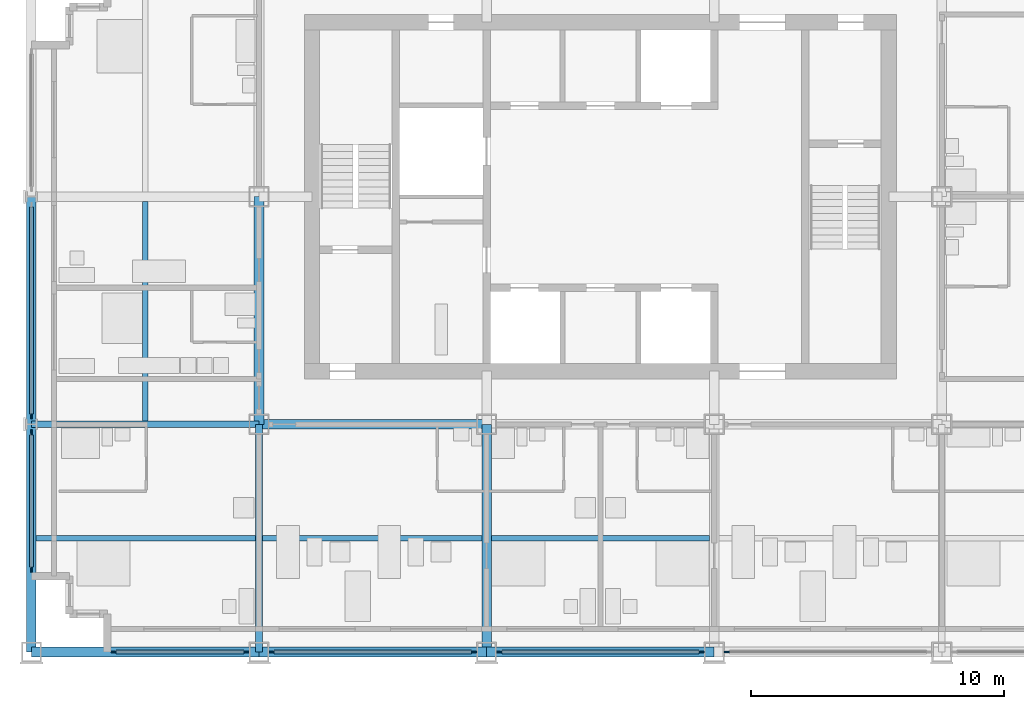
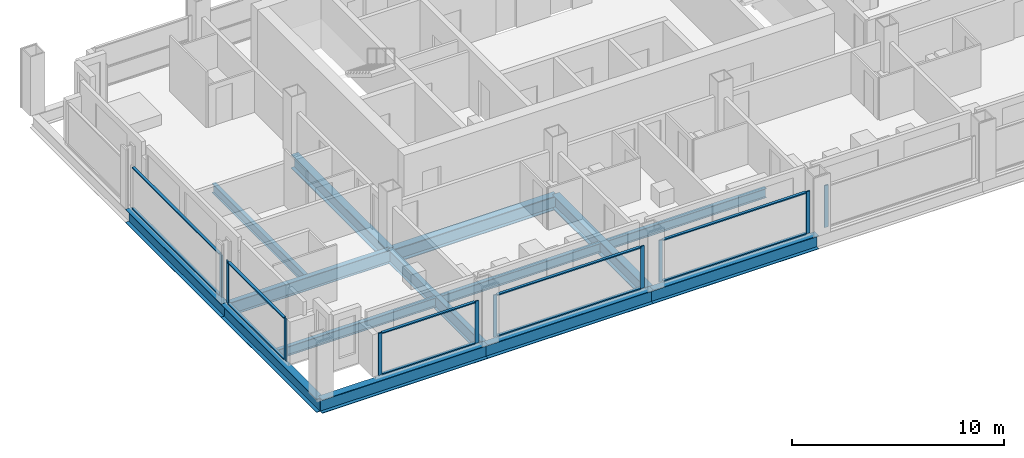
# One storey, part 2 of 13: 20 members, 14 beams, 6 elements without a shape of their own.
"""IFC4 building model written with IfcOpenShell, lengths in metres."""

import ifcopenshell
import ifcopenshell.guid

model = None  # the IFC model being written
_history = None  # IfcOwnerHistory: only IFC2X3 demands one
_inside = {}  # id of a spatial element -> (the spatial element, [elements in it])
_under = {}  # id of a project, library or spatial element -> (it, [spatial elements below it])
_declared = {}  # id of a project -> (the project, [libraries it declares])
_typed = {}  # id of a type object -> (the type object, [elements of that type])
_made_of = {}  # id of a material, layer set ... -> (it, [elements and type objects made of it])


def new_model(schema):
    """Start an empty IFC model of exactly this schema.

    Asked for "IFC4X3", IfcOpenShell would pick the latest addendum, in which some entities
    have other attributes; the version numbers below select the first issue.
    IFC2X3 requires an IfcOwnerHistory on every rooted entity: one is made here for all.
    """
    global model, _history
    if schema == "IFC4X3":
        model = ifcopenshell.file(schema_version=(4, 3, 0, 0))
    else:
        model = ifcopenshell.file(schema=schema)
    _inside.clear()
    _under.clear()
    _declared.clear()
    _typed.clear()
    _made_of.clear()
    _history = None
    if model.schema == "IFC2X3":
        org = make("IfcOrganization", Name="unknown")
        user = make(
            "IfcPersonAndOrganization",
            ThePerson=make("IfcPerson", FamilyName="unknown"),
            TheOrganization=org,
        )
        app = make(
            "IfcApplication",
            ApplicationDeveloper=org,
            Version="unknown",
            ApplicationFullName="unknown",
            ApplicationIdentifier="unknown",
        )
        _history = make(
            "IfcOwnerHistory",
            OwningUser=user,
            OwningApplication=app,
            ChangeAction="ADDED",
            CreationDate=0,
        )
    return model


def make(cls, **values):
    """One entity of the class cls with the attributes given. An attribute that is None is left unset."""
    return model.create_entity(
        cls, **{name: value for name, value in values.items() if value is not None}
    )


def rooted(cls, **values):
    """An entity with a GlobalId (a new one), such as an element, a storey or a relation."""
    return make(cls, GlobalId=ifcopenshell.guid.new(), OwnerHistory=_history, **values)


def si_unit(unit_type, name, prefix=None):
    """IfcSIUnit, for example si_unit("LENGTHUNIT", "METRE", prefix="MILLI")."""
    return make("IfcSIUnit", UnitType=unit_type, Prefix=prefix, Name=name)


def assignment(units):
    """IfcUnitAssignment: the units of a project."""
    return None if units is None else make("IfcUnitAssignment", Units=units)


def point(xyz):
    """IfcCartesianPoint."""
    return None if xyz is None else make("IfcCartesianPoint", Coordinates=xyz)


def direction(xyz):
    """IfcDirection."""
    return None if xyz is None else make("IfcDirection", DirectionRatios=xyz)


def frame(location, z_axis=None, x_axis=None):
    """IfcAxis2Placement3D, a coordinate frame: its origin and axes. An axis left out is left unset."""
    return make(
        "IfcAxis2Placement3D",
        Location=point(location),
        Axis=direction(z_axis),
        RefDirection=direction(x_axis),
    )


def frame_2d(location, x_axis=None):
    """IfcAxis2Placement2D, a coordinate frame in the plane: its origin and x axis."""
    return make(
        "IfcAxis2Placement2D", Location=point(location), RefDirection=direction(x_axis)
    )


def origin():
    """The frame at (0, 0, 0) with its axes left unset."""
    return frame((0.0, 0.0, 0.0))


def origin_2d():
    """The frame at (0, 0) in the plane with its x axis left unset."""
    return frame_2d((0.0, 0.0))


def place(relative_to, where):
    """IfcLocalPlacement: puts the frame where relative to a parent placement (None: the world)."""
    return make(
        "IfcLocalPlacement", PlacementRelTo=relative_to, RelativePlacement=where
    )


def context(
    kind, dimensions, precision=None, world=None, true_north=None, identifier=None
):
    """IfcGeometricRepresentationContext, for example the 3D "Model" context."""
    return make(
        "IfcGeometricRepresentationContext",
        ContextIdentifier=identifier,
        ContextType=kind,
        CoordinateSpaceDimension=dimensions,
        Precision=precision,
        WorldCoordinateSystem=world,
        TrueNorth=true_north,
    )


def subcontext(parent, identifier, kind, view, scale=None):
    """IfcGeometricRepresentationSubContext, for example "Body" below "Model"."""
    return make(
        "IfcGeometricRepresentationSubContext",
        ContextIdentifier=identifier,
        ContextType=kind,
        ParentContext=parent,
        TargetScale=scale,
        TargetView=view,
    )


def project(units=None, contexts=None):
    """IfcProject with its units and contexts."""
    return rooted(
        "IfcProject",
        Name="project",
        RepresentationContexts=contexts,
        UnitsInContext=assignment(units),
    )


def spatial(cls, under=None, at=None, **own):
    """A site, building, storey or space (cls), placed at a placement, below another one or the project."""
    s = rooted(cls, ObjectPlacement=at, **own)
    if under is not None:
        _under.setdefault(under.id(), (under, []))[1].append(s)
    return s


def profile(cls, at=None, kind="AREA", **sizes):
    """A parametric profile (cls). Its sizes go by their IFC names, for example OverallWidth=200.0."""
    return make(cls, ProfileType=kind, Position=at, **sizes)


def rectangle(**sizes):
    """IfcRectangleProfileDef."""
    return profile("IfcRectangleProfileDef", **sizes)


def i_section(**sizes):
    """IfcIShapeProfileDef."""
    return profile("IfcIShapeProfileDef", **sizes)


def extrude(swept, where, along, depth):
    """IfcExtrudedAreaSolid: the profile swept, set in the frame where, extruded along a direction by depth."""
    return make(
        "IfcExtrudedAreaSolid",
        SweptArea=swept,
        Position=where,
        ExtrudedDirection=direction(along),
        Depth=depth,
    )


def shape(context_of_items, identifier, shape_type, items):
    """IfcShapeRepresentation: the items that make up one representation, for example the "Body"."""
    return make(
        "IfcShapeRepresentation",
        ContextOfItems=context_of_items,
        RepresentationIdentifier=identifier,
        RepresentationType=shape_type,
        Items=items,
    )


def material(Name=None, Category=None):
    """IfcMaterial."""
    return make("IfcMaterial", Name=Name, Category=Category)


def material_profile(
    of_material, cross_section, Name=None, Category=None, Priority=None
):
    """IfcMaterialProfile: a cross section and its material."""
    return make(
        "IfcMaterialProfile",
        Name=Name,
        Material=of_material,
        Profile=cross_section,
        Priority=Priority,
        Category=Category,
    )


def profile_set(profiles, Name=None, composite=None):
    """IfcMaterialProfileSet."""
    return make(
        "IfcMaterialProfileSet",
        Name=Name,
        MaterialProfiles=profiles,
        CompositeProfile=composite,
    )


def made_of(thing, what):
    """Note that an element or type object is made of a material, layer set ...; save() writes the relation."""
    if what is not None:
        _made_of.setdefault(what.id(), (what, []))[1].append(thing)
    return thing


def type_object(cls, material=None, **own):
    """A type object (cls), such as IfcWallType, which elements share."""
    return made_of(rooted(cls, **own), material)


def element(
    cls,
    number,
    at=None,
    inside=None,
    cuts=None,
    type_object=None,
    material=None,
    context=None,
    identifier="Body",
    shape_type=None,
    held_by="IfcProductDefinitionShape",
    body=None,
    shapes=None,
    **own,
):
    """One element of the class cls, such as IfcWall. Its Tag is "e" and its number.

    at: its placement. inside: the storey or other place that contains it. cuts: it is an
    opening in that element (IfcRelVoidsElement). A single representation is given by context,
    identifier, shape_type and body (its items); several are given by shapes. held_by: the class
    of the entity that holds the representations. save() writes the other relations.
    """
    e = rooted(cls, Tag="e%d" % number, ObjectPlacement=at, **own)
    if body is not None:
        shapes = [shape(context, identifier, shape_type, body)]
    if shapes is not None:
        e.Representation = make(held_by, Representations=shapes)
    if inside is not None:
        _inside.setdefault(inside.id(), (inside, []))[1].append(e)
    if cuts is not None:
        rooted(
            "IfcRelVoidsElement", RelatingBuildingElement=cuts, RelatedOpeningElement=e
        )
    if type_object is not None:
        _typed.setdefault(type_object.id(), (type_object, []))[1].append(e)
    return made_of(e, material)


def aggregate(whole, parts):
    """IfcRelAggregates: a whole, such as a stair, and the parts it consists of."""
    return rooted("IfcRelAggregates", RelatingObject=whole, RelatedObjects=parts)


def save(model, path):
    """Write the relations noted so far, then the file.

    IfcRelAggregates (storeys below a building ...), IfcRelContainedInSpatialStructure (elements
    in a storey), IfcRelDefinesByType, IfcRelAssociatesMaterial and IfcRelDeclares: one each for
    every whole, place, type object, material and project.
    """
    for whole, parts in _under.values():
        aggregate(whole, parts)
    for where, things in _inside.values():
        rooted(
            "IfcRelContainedInSpatialStructure",
            RelatedElements=things,
            RelatingStructure=where,
        )
    for kind, things in _typed.values():
        rooted("IfcRelDefinesByType", RelatedObjects=things, RelatingType=kind)
    for what, things in _made_of.values():
        rooted("IfcRelAssociatesMaterial", RelatedObjects=things, RelatingMaterial=what)
    for by, libraries in _declared.values():
        rooted("IfcRelDeclares", RelatingContext=by, RelatedDefinitions=libraries)
    model.write(path)


model = new_model("IFC4")

# Units and contexts
model_context = context("Model", 3, precision=1e-05, world=origin(), true_north=direction((0.0, 1.0)))
body_context = subcontext(model_context, "Body", "Model", "MODEL_VIEW")
ifc_project = project(units=[si_unit("LENGTHUNIT", "METRE"), si_unit("AREAUNIT", "SQUARE_METRE"), si_unit("VOLUMEUNIT", "CUBIC_METRE"), si_unit("PLANEANGLEUNIT", "RADIAN"), si_unit("MASSUNIT", "GRAM", prefix="KILO")], contexts=[model_context])

# Site, building, storey
site_placement = place(None, origin())
site = spatial("IfcSite", under=ifc_project, at=site_placement, CompositionType="ELEMENT")
building_placement = place(site_placement, origin())
building = spatial("IfcBuilding", under=site, at=building_placement, Name="Loomwork Tower", CompositionType="ELEMENT")
storey_placement = place(building_placement, frame((0.0, 0.0, 214.800048828125)))
storey = spatial("IfcBuildingStorey", under=building, at=storey_placement, Name="L59", CompositionType="ELEMENT", Elevation=214.800048828125)

# Beams
ifc_material_1 = material(Name="Steel ASTM A992", Category="steel")
ifc_material_profile_1 = material_profile(ifc_material_1, i_section(OverallWidth=0.383544921875, OverallDepth=0.794921875, WebThickness=0.02099609375, FlangeThickness=0.0380859375, at=origin_2d()), Name="W30x235")
ifc_profile_set_1 = profile_set([ifc_material_profile_1], Name="Steel ASTM A992")
beam_type_1 = type_object("IfcBeamType", Name="CORE FLANK GIRDER W30x235", PredefinedType="BEAM", material=ifc_profile_set_1)
for number, where, z_axis, x_axis, name in (
    (1, (9.0, 9.0, -0.59765625), (1.0, 0.0, 0.0), (0.0, 1.0, 0.0), "Core Flank Girder E/3-E/4 L59"),
    (2, (9.0, 9.0, -0.59765625), (0.0, 1.0, 0.0), (-1.0, 0.0, 0.0), "Core Flank Girder E/3-F/3 L59"),
    (3, (18.0, 0.0, -0.59765625), (0.0, 1.0, 0.0), (-1.0, 0.0, 0.0), "Core Flank Girder D/4-E/4 L59"),
):
    element("IfcBeam", number, at=place(storey_placement, frame(where, z_axis=z_axis, x_axis=x_axis)), inside=storey, type_object=beam_type_1, Name=name, PredefinedType="BEAM", context=body_context, shape_type="SweptSolid", body=[
        extrude(i_section(OverallWidth=0.383544921875, OverallDepth=0.794921875, WebThickness=0.02099609375, FlangeThickness=0.0380859375, at=origin_2d()), origin(), (0.0, 0.0, 1.0), 9.0),
    ])
ifc_material_2 = material(Name="Steel ASTM A992", Category="steel")
ifc_material_profile_2 = material_profile(ifc_material_2, i_section(OverallWidth=0.2666015625, OverallDepth=0.761962890625, WebThickness=0.014404296875, FlangeThickness=0.021484375, at=origin_2d()), Name="W30x116")
ifc_profile_set_2 = profile_set([ifc_material_profile_2], Name="Steel ASTM A992")
beam_type_2 = type_object("IfcBeamType", Name="FLOOR GIRDER W30x116", PredefinedType="BEAM", material=ifc_profile_set_2)
for number, where, z_axis, x_axis, name in (
    (4, (0.0, 9.0, -0.5810546875), (1.0, 0.0, 0.0), (0.0, 1.0, 0.0), "Floor Girder E/2-E/3 L59"),
    (5, (9.0, 0.0, -0.5810546875), (0.0, 1.0, 0.0), (-1.0, 0.0, 0.0), "Floor Girder D/3-E/3 L59"),
):
    element("IfcBeam", number, at=place(storey_placement, frame(where, z_axis=z_axis, x_axis=x_axis)), inside=storey, type_object=beam_type_2, Name=name, PredefinedType="BEAM", context=body_context, shape_type="SweptSolid", body=[
        extrude(i_section(OverallWidth=0.2666015625, OverallDepth=0.761962890625, WebThickness=0.014404296875, FlangeThickness=0.021484375, at=origin_2d()), origin(), (0.0, 0.0, 1.0), 9.0),
    ])
ifc_material_3 = material(Name="Steel ASTM A992", Category="steel")
ifc_material_profile_3 = material_profile(ifc_material_3, i_section(OverallWidth=0.2109375, OverallDepth=0.53857421875, WebThickness=0.011474609375, FlangeThickness=0.018798828125, at=origin_2d()), Name="W21x73")
ifc_profile_set_3 = profile_set([ifc_material_profile_3], Name="Steel ASTM A992")
beam_type_3 = type_object("IfcBeamType", Name="FLOOR JOIST W21x73", PredefinedType="JOIST", material=ifc_profile_set_3)
beam_1_placement = place(storey_placement, frame((0.18994140625, 4.5, -0.46923828125), z_axis=(1.0, 0.0, 0.0), x_axis=(0.0, 1.0, 0.0)))
element("IfcBeam", 6, at=beam_1_placement, inside=storey, type_object=beam_type_3, Name="Floor Joist 0.000,4.500-9.000,4.500 L59", PredefinedType="JOIST", context=body_context, shape_type="SweptSolid", body=[
    extrude(i_section(OverallWidth=0.2109375, OverallDepth=0.53857421875, WebThickness=0.011474609375, FlangeThickness=0.018798828125, at=origin_2d()), origin(), (0.0, 0.0, 1.0), 8.677001953125),
])
for number, where, z_axis, x_axis, name in (
    (7, (4.5, 9.133056640625, -0.46923828125), (0.0, 1.0, 0.0), (-1.0, 0.0, 0.0), "Floor Joist 4.500,9.000-4.500,18.000 L59"),
    (8, (9.133056640625, 4.5, -0.46923828125), (1.0, 0.0, 0.0), (0.0, 1.0, 0.0), "Floor Joist 9.000,4.500-18.000,4.500 L59"),
):
    element("IfcBeam", number, at=place(storey_placement, frame(where, z_axis=z_axis, x_axis=x_axis)), inside=storey, type_object=beam_type_3, Name=name, PredefinedType="JOIST", context=body_context, shape_type="SweptSolid", body=[
        extrude(i_section(OverallWidth=0.2109375, OverallDepth=0.53857421875, WebThickness=0.011474609375, FlangeThickness=0.018798828125, at=origin_2d()), origin(), (0.0, 0.0, 1.0), 8.676025390625),
    ])
beam_2_placement = place(storey_placement, frame((18.19091796875, 4.5, -0.46923828125), z_axis=(1.0, 0.0, 0.0), x_axis=(0.0, 1.0, 0.0)))
element("IfcBeam", 9, at=beam_2_placement, inside=storey, type_object=beam_type_3, Name="Floor Joist 18.000,4.500-27.000,4.500 L59", PredefinedType="JOIST", context=body_context, shape_type="SweptSolid", body=[
    extrude(i_section(OverallWidth=0.2109375, OverallDepth=0.53857421875, WebThickness=0.011474609375, FlangeThickness=0.018798828125, at=origin_2d()), origin(), (0.0, 0.0, 1.0), 8.6181640625),
])

# Curtain wall, members
ifc_material_4 = material(Name="Aluminium curtain wall frame", Category="aluminium")
curtain_wall_type = type_object("IfcCurtainWallType", Name="Outer skin glazing hotel", PredefinedType="NOTDEFINED", material=ifc_material_4)
curtain_wall_1_placement = place(storey_placement, origin())
curtain_wall_1 = element("IfcCurtainWall", 10, at=curtain_wall_1_placement, inside=storey, type_object=curtain_wall_type, Name="Outer skin glazing hotel cw/S-0", PredefinedType="NOTDEFINED")
ifc_material_5 = material(Name="Aluminium curtain wall frame", Category="aluminium")
ifc_material_profile_4 = material_profile(ifc_material_5, rectangle(XDim=0.06494140625, YDim=0.199951171875, at=origin_2d()), Name="AL 65x200")
ifc_profile_set_4 = profile_set([ifc_material_profile_4], Name="Aluminium curtain wall frame")
member_type_1 = type_object("IfcMemberType", Name="Outer skin glazing hotel mullion", PredefinedType="MULLION", material=ifc_profile_set_4)
member_1_placement = place(storey_placement, frame((3.25, 0.0, 0.0), z_axis=(0.0, 0.0, 1.0), x_axis=(0.0, 1.0, 0.0)))
member_1 = element("IfcMember", 11, at=member_1_placement, type_object=member_type_1, Name="CW1 mullion 1", PredefinedType="MULLION", context=body_context, shape_type="SweptSolid", body=[
    extrude(rectangle(XDim=0.06494140625, YDim=0.199951171875, at=origin_2d()), origin(), (0.0, 0.0, 1.0), 2.420166015625),
])
member_2_placement = place(storey_placement, frame((8.5, 0.0, 0.0), z_axis=(0.0, 0.0, 1.0), x_axis=(0.0, 1.0, 0.0)))
member_2 = element("IfcMember", 12, at=member_2_placement, type_object=member_type_1, Name="CW1 mullion 2", PredefinedType="MULLION", context=body_context, shape_type="SweptSolid", body=[
    extrude(rectangle(XDim=0.06494140625, YDim=0.199951171875, at=origin_2d()), origin(), (0.0, 0.0, 1.0), 2.420166015625),
])

curtain_wall_2_placement = place(storey_placement, origin())
curtain_wall_2 = element("IfcCurtainWall", 13, at=curtain_wall_2_placement, inside=storey, type_object=curtain_wall_type, Name="Outer skin glazing hotel cw/S-9", PredefinedType="NOTDEFINED")
member_3_placement = place(storey_placement, frame((9.5, 0.0, 0.0), z_axis=(0.0, 0.0, 1.0), x_axis=(0.0, 1.0, 0.0)))
member_3 = element("IfcMember", 14, at=member_3_placement, type_object=member_type_1, Name="CW1 mullion 1", PredefinedType="MULLION", context=body_context, shape_type="SweptSolid", body=[
    extrude(rectangle(XDim=0.06494140625, YDim=0.199951171875, at=origin_2d()), origin(), (0.0, 0.0, 1.0), 2.420166015625),
])
member_4_placement = place(storey_placement, frame((17.5, 0.0, 0.0), z_axis=(0.0, 0.0, 1.0), x_axis=(0.0, 1.0, 0.0)))
member_4 = element("IfcMember", 15, at=member_4_placement, type_object=member_type_1, Name="CW1 mullion 2", PredefinedType="MULLION", context=body_context, shape_type="SweptSolid", body=[
    extrude(rectangle(XDim=0.06494140625, YDim=0.199951171875, at=origin_2d()), origin(), (0.0, 0.0, 1.0), 2.420166015625),
])

curtain_wall_3_placement = place(storey_placement, origin())
curtain_wall_3 = element("IfcCurtainWall", 16, at=curtain_wall_3_placement, inside=storey, type_object=curtain_wall_type, Name="Outer skin glazing hotel cw/S-18", PredefinedType="NOTDEFINED")
member_5_placement = place(storey_placement, frame((18.5, 0.0, 0.0), z_axis=(0.0, 0.0, 1.0), x_axis=(0.0, 1.0, 0.0)))
member_5 = element("IfcMember", 17, at=member_5_placement, type_object=member_type_1, Name="CW1 mullion 1", PredefinedType="MULLION", context=body_context, shape_type="SweptSolid", body=[
    extrude(rectangle(XDim=0.06494140625, YDim=0.199951171875, at=origin_2d()), origin(), (0.0, 0.0, 1.0), 2.420166015625),
])
member_6_placement = place(storey_placement, frame((26.5, 0.0, 0.0), z_axis=(0.0, 0.0, 1.0), x_axis=(0.0, 1.0, 0.0)))
member_6 = element("IfcMember", 18, at=member_6_placement, type_object=member_type_1, Name="CW1 mullion 2", PredefinedType="MULLION", context=body_context, shape_type="SweptSolid", body=[
    extrude(rectangle(XDim=0.06494140625, YDim=0.199951171875, at=origin_2d()), origin(), (0.0, 0.0, 1.0), 2.420166015625),
])

# Curtain wall, member
curtain_wall_4_placement = place(storey_placement, origin())
curtain_wall_4 = element("IfcCurtainWall", 19, at=curtain_wall_4_placement, inside=storey, type_object=curtain_wall_type, Name="Outer skin glazing hotel cw/S-27", PredefinedType="NOTDEFINED")
member_7_placement = place(storey_placement, frame((27.5, 0.0, 0.0), z_axis=(0.0, 0.0, 1.0), x_axis=(0.0, 1.0, 0.0)))
member_7 = element("IfcMember", 20, at=member_7_placement, type_object=member_type_1, Name="CW1 mullion 1", PredefinedType="MULLION", context=body_context, shape_type="SweptSolid", body=[
    extrude(rectangle(XDim=0.06494140625, YDim=0.199951171875, at=origin_2d()), origin(), (0.0, 0.0, 1.0), 2.420166015625),
])
aggregate(curtain_wall_4, [member_7])

# Curtain wall, members
curtain_wall_5_placement = place(storey_placement, origin())
curtain_wall_5 = element("IfcCurtainWall", 21, at=curtain_wall_5_placement, inside=storey, type_object=curtain_wall_type, Name="Outer skin glazing hotel cw/W-0", PredefinedType="NOTDEFINED")
member_8_placement = place(storey_placement, frame((0.0, 8.6865234375, 0.0), z_axis=(0.0, 0.0, 1.0), x_axis=(1.0, 0.0, 0.0)))
member_8 = element("IfcMember", 22, at=member_8_placement, type_object=member_type_1, Name="CW1 mullion 1", PredefinedType="MULLION", context=body_context, shape_type="SweptSolid", body=[
    extrude(rectangle(XDim=0.06494140625, YDim=0.199951171875, at=origin_2d()), origin(), (0.0, 0.0, 1.0), 2.420166015625),
])
member_9_placement = place(storey_placement, frame((0.0, 3.25, 0.0), z_axis=(0.0, 0.0, 1.0), x_axis=(1.0, 0.0, 0.0)))
member_9 = element("IfcMember", 23, at=member_9_placement, type_object=member_type_1, Name="CW1 mullion 2", PredefinedType="MULLION", context=body_context, shape_type="SweptSolid", body=[
    extrude(rectangle(XDim=0.06494140625, YDim=0.199951171875, at=origin_2d()), origin(), (0.0, 0.0, 1.0), 2.420166015625),
])

# Curtain wall, member
curtain_wall_6_placement = place(storey_placement, origin())
curtain_wall_6 = element("IfcCurtainWall", 24, at=curtain_wall_6_placement, inside=storey, type_object=curtain_wall_type, Name="Outer skin glazing hotel cw/W-9", PredefinedType="NOTDEFINED")
member_10_placement = place(storey_placement, frame((0.0, 9.3134765625, 0.0), z_axis=(0.0, 0.0, 1.0), x_axis=(1.0, 0.0, 0.0)))
member_10 = element("IfcMember", 25, at=member_10_placement, type_object=member_type_1, Name="CW1 mullion 2", PredefinedType="MULLION", context=body_context, shape_type="SweptSolid", body=[
    extrude(rectangle(XDim=0.06494140625, YDim=0.199951171875, at=origin_2d()), origin(), (0.0, 0.0, 1.0), 2.420166015625),
])

# Member
ifc_material_6 = material(Name="Aluminium curtain wall frame", Category="aluminium")
ifc_material_profile_5 = material_profile(ifc_material_6, rectangle(XDim=0.14990234375, YDim=0.06494140625, at=origin_2d()), Name="AL 65x150")
ifc_profile_set_5 = profile_set([ifc_material_profile_5], Name="Aluminium curtain wall frame")
member_type_2 = type_object("IfcMemberType", Name="Outer skin glazing hotel transom", PredefinedType="USERDEFINED", material=ifc_profile_set_5)
member_11_placement = place(storey_placement, frame((3.35009765625, 0.0, 0.032470703125), z_axis=(1.0, 0.0, 0.0), x_axis=(0.0, 1.0, 0.0)))
member_11 = element("IfcMember", 26, at=member_11_placement, type_object=member_type_2, Name="CW1 transom 1.1", ObjectType="TRANSOM", PredefinedType="USERDEFINED", context=body_context, shape_type="SweptSolid", body=[
    extrude(rectangle(XDim=0.14990234375, YDim=0.06494140625, at=origin_2d()), origin(), (0.0, 0.0, 1.0), 5.0498046875),
])

member_12_placement = place(storey_placement, frame((3.35009765625, 0.0, 2.3876953125), z_axis=(1.0, 0.0, 0.0), x_axis=(0.0, 1.0, 0.0)))
member_12 = element("IfcMember", 27, at=member_12_placement, type_object=member_type_2, Name="CW1 transom 1.2", ObjectType="TRANSOM", PredefinedType="USERDEFINED", context=body_context, shape_type="SweptSolid", body=[
    extrude(rectangle(XDim=0.14990234375, YDim=0.06494140625, at=origin_2d()), origin(), (0.0, 0.0, 1.0), 5.0498046875),
])

aggregate(curtain_wall_1, [member_1, member_2, member_11, member_12])

member_13_placement = place(storey_placement, frame((9.60009765625, 0.0, 0.032470703125), z_axis=(1.0, 0.0, 0.0), x_axis=(0.0, 1.0, 0.0)))
member_13 = element("IfcMember", 28, at=member_13_placement, type_object=member_type_2, Name="CW1 transom 1.1", ObjectType="TRANSOM", PredefinedType="USERDEFINED", context=body_context, shape_type="SweptSolid", body=[
    extrude(rectangle(XDim=0.14990234375, YDim=0.06494140625, at=origin_2d()), origin(), (0.0, 0.0, 1.0), 7.7998046875),
])

member_14_placement = place(storey_placement, frame((9.60009765625, 0.0, 2.3876953125), z_axis=(1.0, 0.0, 0.0), x_axis=(0.0, 1.0, 0.0)))
member_14 = element("IfcMember", 29, at=member_14_placement, type_object=member_type_2, Name="CW1 transom 1.2", ObjectType="TRANSOM", PredefinedType="USERDEFINED", context=body_context, shape_type="SweptSolid", body=[
    extrude(rectangle(XDim=0.14990234375, YDim=0.06494140625, at=origin_2d()), origin(), (0.0, 0.0, 1.0), 7.7998046875),
])

aggregate(curtain_wall_2, [member_3, member_4, member_13, member_14])

member_15_placement = place(storey_placement, frame((18.60009765625, 0.0, 0.032470703125), z_axis=(1.0, 0.0, 0.0), x_axis=(0.0, 1.0, 0.0)))
member_15 = element("IfcMember", 30, at=member_15_placement, type_object=member_type_2, Name="CW1 transom 1.1", ObjectType="TRANSOM", PredefinedType="USERDEFINED", context=body_context, shape_type="SweptSolid", body=[
    extrude(rectangle(XDim=0.14990234375, YDim=0.06494140625, at=origin_2d()), origin(), (0.0, 0.0, 1.0), 7.7998046875),
])

member_16_placement = place(storey_placement, frame((18.60009765625, 0.0, 2.3876953125), z_axis=(1.0, 0.0, 0.0), x_axis=(0.0, 1.0, 0.0)))
member_16 = element("IfcMember", 31, at=member_16_placement, type_object=member_type_2, Name="CW1 transom 1.2", ObjectType="TRANSOM", PredefinedType="USERDEFINED", context=body_context, shape_type="SweptSolid", body=[
    extrude(rectangle(XDim=0.14990234375, YDim=0.06494140625, at=origin_2d()), origin(), (0.0, 0.0, 1.0), 7.7998046875),
])

aggregate(curtain_wall_3, [member_5, member_6, member_15, member_16])

member_17_placement = place(storey_placement, frame((0.0, 8.586669921875, 0.032470703125), z_axis=(0.0, -1.0, 0.0), x_axis=(1.0, 0.0, 0.0)))
member_17 = element("IfcMember", 32, at=member_17_placement, type_object=member_type_2, Name="CW1 transom 1.1", ObjectType="TRANSOM", PredefinedType="USERDEFINED", context=body_context, shape_type="SweptSolid", body=[
    extrude(rectangle(XDim=0.14990234375, YDim=0.06494140625, at=origin_2d()), origin(), (0.0, 0.0, 1.0), 5.236572265625),
])

member_18_placement = place(storey_placement, frame((0.0, 8.586669921875, 2.3876953125), z_axis=(0.0, -1.0, 0.0), x_axis=(1.0, 0.0, 0.0)))
member_18 = element("IfcMember", 33, at=member_18_placement, type_object=member_type_2, Name="CW1 transom 1.2", ObjectType="TRANSOM", PredefinedType="USERDEFINED", context=body_context, shape_type="SweptSolid", body=[
    extrude(rectangle(XDim=0.14990234375, YDim=0.06494140625, at=origin_2d()), origin(), (0.0, 0.0, 1.0), 5.236572265625),
])

aggregate(curtain_wall_5, [member_8, member_9, member_17, member_18])

member_19_placement = place(storey_placement, frame((0.0, 17.586669921875, 0.032470703125), z_axis=(0.0, -1.0, 0.0), x_axis=(1.0, 0.0, 0.0)))
member_19 = element("IfcMember", 34, at=member_19_placement, type_object=member_type_2, Name="CW1 transom 1.1", ObjectType="TRANSOM", PredefinedType="USERDEFINED", context=body_context, shape_type="SweptSolid", body=[
    extrude(rectangle(XDim=0.14990234375, YDim=0.06494140625, at=origin_2d()), origin(), (0.0, 0.0, 1.0), 8.17333984375),
])

member_20_placement = place(storey_placement, frame((0.0, 17.586669921875, 2.3876953125), z_axis=(0.0, -1.0, 0.0), x_axis=(1.0, 0.0, 0.0)))
member_20 = element("IfcMember", 35, at=member_20_placement, type_object=member_type_2, Name="CW1 transom 1.2", ObjectType="TRANSOM", PredefinedType="USERDEFINED", context=body_context, shape_type="SweptSolid", body=[
    extrude(rectangle(XDim=0.14990234375, YDim=0.06494140625, at=origin_2d()), origin(), (0.0, 0.0, 1.0), 8.17333984375),
])

aggregate(curtain_wall_6, [member_10, member_19, member_20])

# Beams
ifc_material_7 = material(Name="Steel ASTM A992", Category="steel")
ifc_material_profile_6 = material_profile(ifc_material_7, i_section(OverallWidth=0.381103515625, OverallDepth=0.77978515625, WebThickness=0.01806640625, FlangeThickness=0.0302734375, at=origin_2d()), Name="W30x191")
ifc_profile_set_6 = profile_set([ifc_material_profile_6], Name="Steel ASTM A992")
beam_type_4 = type_object("IfcBeamType", Name="SPANDREL GIRDER W30x191", PredefinedType="SPANDREL", material=ifc_profile_set_6)
for number, where, z_axis, x_axis, name in (
    (36, (0.0, 0.0, -0.58984375), (1.0, 0.0, 0.0), (0.0, 1.0, 0.0), "Spandrel Girder D/2-D/3 L59"),
    (37, (9.0, 0.0, -0.58984375), (1.0, 0.0, 0.0), (0.0, 1.0, 0.0), "Spandrel Girder D/3-D/4 L59"),
    (38, (18.0, 0.0, -0.58984375), (1.0, 0.0, 0.0), (0.0, 1.0, 0.0), "Spandrel Girder D/4-D/5 L59"),
    (39, (0.0, 0.0, -0.58984375), (0.0, 1.0, 0.0), (-1.0, 0.0, 0.0), "Spandrel Girder D/2-E/2 L59"),
    (40, (0.0, 9.0, -0.58984375), (0.0, 1.0, 0.0), (-1.0, 0.0, 0.0), "Spandrel Girder E/2-F/2 L59"),
):
    element("IfcBeam", number, at=place(storey_placement, frame(where, z_axis=z_axis, x_axis=x_axis)), inside=storey, type_object=beam_type_4, Name=name, PredefinedType="SPANDREL", context=body_context, shape_type="SweptSolid", body=[
        extrude(i_section(OverallWidth=0.381103515625, OverallDepth=0.77978515625, WebThickness=0.01806640625, FlangeThickness=0.0302734375, at=origin_2d()), origin(), (0.0, 0.0, 1.0), 9.0),
    ])

save(model, "model.ifc")
